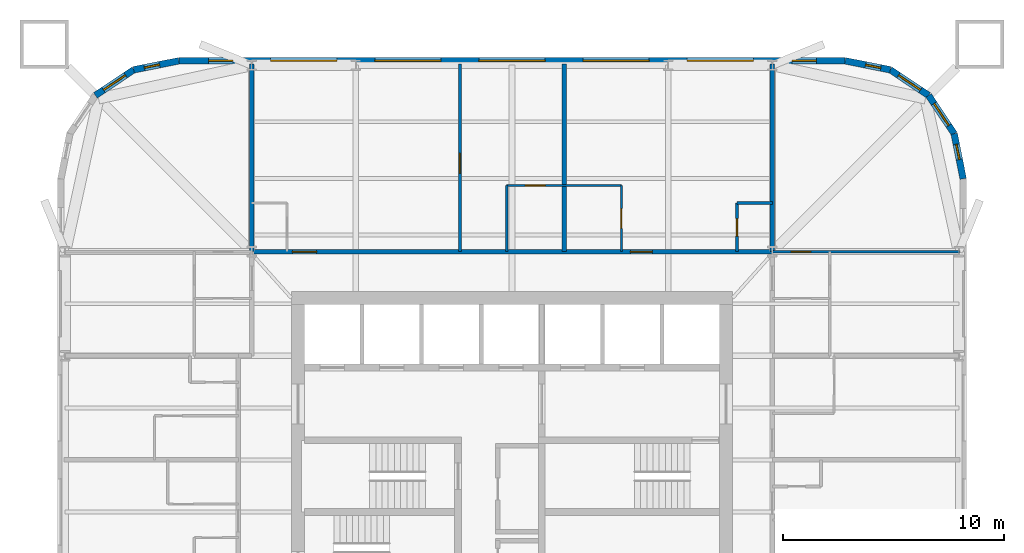
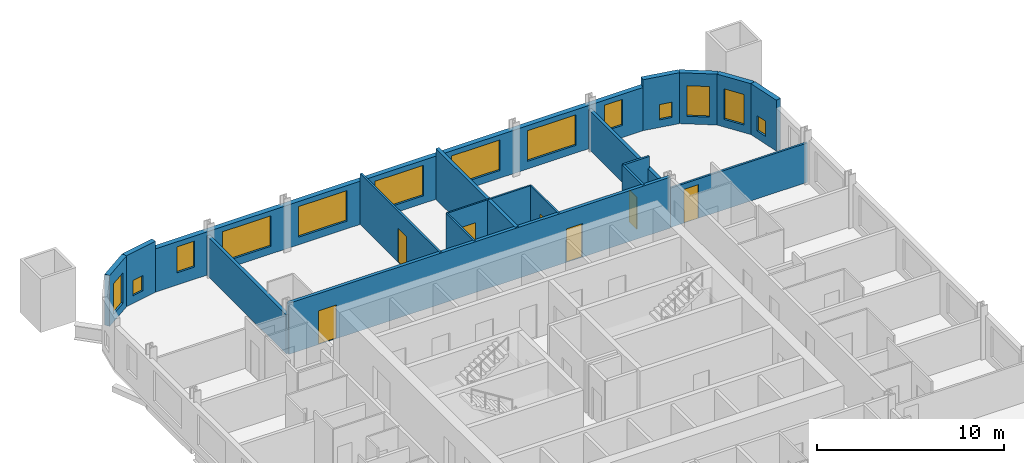
# One storey, part 7 of 9: 18 walls, 13 windows, 7 doors, 20 openings.
"""IFC4 building model written with IfcOpenShell, lengths in metres."""

from ifc_helpers import new_model, si_unit, direction, frame, frame_2d, origin, place, context, subcontext, project, spatial, rectangle, extrude, material, layer, layer_set, type_object, element, fill, save


model = new_model("IFC4")

# Units and contexts
model_context = context("Model", 3, precision=1e-05, world=origin(), true_north=direction((0.0, 1.0)))
body_context = subcontext(model_context, "Body", "Model", "MODEL_VIEW")
ifc_project = project(units=[si_unit("LENGTHUNIT", "METRE"), si_unit("AREAUNIT", "SQUARE_METRE"), si_unit("VOLUMEUNIT", "CUBIC_METRE"), si_unit("PLANEANGLEUNIT", "RADIAN"), si_unit("MASSUNIT", "GRAM", prefix="KILO")], contexts=[model_context])

# Site, building, storey
site_placement = place(None, origin())
site = spatial("IfcSite", under=ifc_project, at=site_placement, CompositionType="ELEMENT")
building_placement = place(site_placement, origin())
building = spatial("IfcBuilding", under=site, at=building_placement, Name="Turquesa Mirador Hotel Tower", CompositionType="ELEMENT")
storey_placement = place(building_placement, frame((0.0, 0.0, 145.89990234375)))
storey = spatial("IfcBuildingStorey", under=building, at=storey_placement, Name="L39", CompositionType="ELEMENT", Elevation=145.89990234375)

# Wall, opening, door
ifc_material_1 = material(Name="Gypsum board on steel studs", Category="steel")
ifc_layer_1 = layer(ifc_material_1, 0.10009765625)
ifc_layer_set_1 = layer_set([ifc_layer_1], Name="BATHROOM WALL 100")
wall_type_1 = type_object("IfcWallType", Name="BATHROOM WALL 100", PredefinedType="PARTITIONING", material=ifc_layer_set_1)
wall_1_placement = place(storey_placement, frame((54.760009765625, 59.800048828125, 0.0), z_axis=(0.0, 0.0, 1.0), x_axis=(1.0, 0.0, 0.0)))
wall_1 = element("IfcWall", 1, at=wall_1_placement, inside=storey, type_object=wall_type_1, Name="Partition L39 026", PredefinedType="PARTITIONING", context=body_context, shape_type="SweptSolid", body=[
    extrude(rectangle(XDim=5.199951171875, YDim=0.10009765625, at=frame_2d((2.60009765625, 0.0))), origin(), (0.0, 0.0, 1.0), 3.330078125),
])
opening_1_placement = place(wall_1_placement, frame((0.85009765625, 0.0, 0.0)))
opening_1 = element("IfcOpeningElement", 2, at=opening_1_placement, cuts=wall_1, Name="Opening D02", PredefinedType="OPENING", context=body_context, shape_type="SweptSolid", body=[
    extrude(rectangle(XDim=0.89990234375, YDim=2.10009765625, at=frame_2d((0.449951171875, 1.050048828125))), frame((0.0, 0.06005859375, 0.0), z_axis=(0.0, -1.0, 0.0), x_axis=(1.0, 0.0, 0.0)), (0.0, 0.0, 1.0), 0.1201171875),
])
ifc_material_2 = material(Name="Timber veneered door", Category="wood")
door_type_1 = type_object("IfcDoorType", Name="DOOR 900X2100 EN-SUITE", OperationType="SINGLE_SWING_RIGHT", PredefinedType="DOOR", material=ifc_material_2)
door_1_placement = place(opening_1_placement, origin())
door_1 = element("IfcDoor", 3, at=door_1_placement, inside=storey, type_object=door_type_1, Name="Door 3901B", OperationType="SINGLE_SWING_RIGHT", OverallHeight=2.10009765625, OverallWidth=0.89990234375, PredefinedType="DOOR", context=body_context, shape_type="SweptSolid", body=[
    extrude(rectangle(XDim=0.89990234375, YDim=2.10009765625, at=frame_2d((0.449951171875, 1.050048828125))), frame((0.0, 0.02490234375, 0.0), z_axis=(0.0, -1.0, 0.0), x_axis=(1.0, 0.0, 0.0)), (0.0, 0.0, 1.0), 0.050048828125),
])
fill(opening_1, door_1)

# Wall
wall_2_placement = place(storey_placement, frame((54.760009765625, 56.800048828125, 0.0), z_axis=(0.0, 0.0, 1.0), x_axis=(0.0, 1.0, 0.0)))
element("IfcWall", 4, at=wall_2_placement, inside=storey, type_object=wall_type_1, Name="Partition L39 040", PredefinedType="PARTITIONING", context=body_context, shape_type="SweptSolid", body=[
    extrude(rectangle(XDim=3.0, YDim=0.10009765625, at=frame_2d((1.5, 0.0))), origin(), (0.0, 0.0, 1.0), 3.330078125),
])

# Wall, opening, door
wall_3_placement = place(storey_placement, frame((59.9599609375, 56.800048828125, 0.0), z_axis=(0.0, 0.0, 1.0), x_axis=(0.0, 1.0, 0.0)))
wall_3 = element("IfcWall", 5, at=wall_3_placement, inside=storey, type_object=wall_type_1, Name="Partition L39 075", PredefinedType="PARTITIONING", context=body_context, shape_type="SweptSolid", body=[
    extrude(rectangle(XDim=3.0, YDim=0.10009765625, at=frame_2d((1.5, 0.0))), origin(), (0.0, 0.0, 1.0), 3.330078125),
])
opening_2_placement = place(wall_3_placement, frame((1.050048828125, 0.0, 0.0)))
opening_2 = element("IfcOpeningElement", 6, at=opening_2_placement, cuts=wall_3, Name="Opening D02", PredefinedType="OPENING", context=body_context, shape_type="SweptSolid", body=[
    extrude(rectangle(XDim=0.89990234375, YDim=2.10009765625, at=frame_2d((0.449951171875, 1.050048828125))), frame((0.0, 0.06005859375, 0.0), z_axis=(0.0, -1.0, 0.0), x_axis=(1.0, 0.0, 0.0)), (0.0, 0.0, 1.0), 0.1201171875),
])
door_2_placement = place(opening_2_placement, origin())
door_2 = element("IfcDoor", 7, at=door_2_placement, inside=storey, type_object=door_type_1, Name="Door 3902B", OperationType="SINGLE_SWING_RIGHT", OverallHeight=2.10009765625, OverallWidth=0.89990234375, PredefinedType="DOOR", context=body_context, shape_type="SweptSolid", body=[
    extrude(rectangle(XDim=0.89990234375, YDim=2.10009765625, at=frame_2d((0.449951171875, 1.050048828125))), frame((0.0, 0.02490234375, 0.0), z_axis=(0.0, -1.0, 0.0), x_axis=(1.0, 0.0, 0.0)), (0.0, 0.0, 1.0), 0.050048828125),
])
fill(opening_2, door_2)

# Wall, openings, doors
ifc_material_3 = material(Name="Fire-rated gypsum board on steel studs", Category="steel")
ifc_layer_2 = layer(ifc_material_3, 0.199951171875)
ifc_layer_set_2 = layer_set([ifc_layer_2], Name="CORRIDOR WALL 200")
wall_type_2 = type_object("IfcWallType", Name="CORRIDOR WALL 200", PredefinedType="PARTITIONING", material=ifc_layer_set_2)
wall_4_placement = place(storey_placement, frame((43.199951171875, 56.800048828125, 0.0), z_axis=(0.0, 0.0, 1.0), x_axis=(1.0, 0.0, 0.0)))
wall_4 = element("IfcWall", 8, at=wall_4_placement, inside=storey, type_object=wall_type_2, Name="Partition L39 021", PredefinedType="PARTITIONING", context=body_context, shape_type="SweptSolid", body=[
    extrude(rectangle(XDim=23.60009765625, YDim=0.199951171875, at=frame_2d((11.800048828125, 0.0))), origin(), (0.0, 0.0, 1.0), 3.330078125),
])
opening_3_placement = place(wall_4_placement, frame((1.85009765625, 0.0, 0.0)))
opening_3 = element("IfcOpeningElement", 9, at=opening_3_placement, cuts=wall_4, Name="Opening D15", PredefinedType="OPENING", context=body_context, shape_type="SweptSolid", body=[
    extrude(rectangle(XDim=1.10009765625, YDim=2.199951171875, at=frame_2d((0.550048828125, 1.10009765625))), frame((0.0, 0.10986328125, 0.0), z_axis=(0.0, -1.0, 0.0), x_axis=(1.0, 0.0, 0.0)), (0.0, 0.0, 1.0), 0.219970703125),
])
opening_4_placement = place(wall_4_placement, frame((17.159912109375, 0.0, 0.0)))
opening_4 = element("IfcOpeningElement", 10, at=opening_4_placement, cuts=wall_4, Name="Opening D01", PredefinedType="OPENING", context=body_context, shape_type="SweptSolid", body=[
    extrude(rectangle(XDim=1.0, YDim=2.199951171875, at=frame_2d((0.5, 1.10009765625))), frame((0.0, 0.10986328125, 0.0), z_axis=(0.0, -1.0, 0.0), x_axis=(1.0, 0.0, 0.0)), (0.0, 0.0, 1.0), 0.219970703125),
])
ifc_material_4 = material(Name="Timber veneered fire door", Category="wood")
door_type_2 = type_object("IfcDoorType", Name="DOOR 1000X2200 GUEST ENTRY", OperationType="SINGLE_SWING_LEFT", PredefinedType="DOOR", material=ifc_material_4)
door_3_placement = place(opening_4_placement, origin())
door_3 = element("IfcDoor", 11, at=door_3_placement, inside=storey, type_object=door_type_2, Name="Door 3902", OperationType="SINGLE_SWING_LEFT", OverallHeight=2.199951171875, OverallWidth=1.0, PredefinedType="DOOR", context=body_context, shape_type="SweptSolid", body=[
    extrude(rectangle(XDim=1.0, YDim=2.199951171875, at=frame_2d((0.5, 1.10009765625))), frame((0.0, 0.02490234375, 0.0), z_axis=(0.0, -1.0, 0.0), x_axis=(1.0, 0.0, 0.0)), (0.0, 0.0, 1.0), 0.050048828125),
])
fill(opening_4, door_3)
ifc_material_5 = material(Name="Timber veneered fire door", Category="wood")
door_type_3 = type_object("IfcDoorType", Name="DOOR 1100X2200 SUITE ENTRY", OperationType="SINGLE_SWING_LEFT", PredefinedType="DOOR", material=ifc_material_5)
door_4_placement = place(opening_3_placement, origin())
door_4 = element("IfcDoor", 12, at=door_4_placement, inside=storey, type_object=door_type_3, Name="Door 3901", OperationType="SINGLE_SWING_LEFT", OverallHeight=2.199951171875, OverallWidth=1.10009765625, PredefinedType="DOOR", context=body_context, shape_type="SweptSolid", body=[
    extrude(rectangle(XDim=1.10009765625, YDim=2.199951171875, at=frame_2d((0.550048828125, 1.10009765625))), frame((0.0, 0.02490234375, 0.0), z_axis=(0.0, -1.0, 0.0), x_axis=(1.0, 0.0, 0.0)), (0.0, 0.0, 1.0), 0.050048828125),
])
fill(opening_3, door_4)

# Wall, opening, window
ifc_material_6 = material(Name="Limestone cladding on concrete block", Category="masonry")
ifc_layer_3 = layer(ifc_material_6, 0.300048828125)
ifc_layer_set_3 = layer_set([ifc_layer_3], Name="FACADE WALL 300 STONE SCREEN")
wall_type_3 = type_object("IfcWallType", Name="FACADE WALL 300 STONE SCREEN", PredefinedType="SOLIDWALL", material=ifc_layer_set_3)
wall_5_placement = place(storey_placement, frame((75.449951171875, 60.10009765625, 0.0), z_axis=(0.0, 0.0, 1.0), x_axis=(-0.195081421501, 0.980787050784, 0.0)))
wall_5 = element("IfcWall", 13, at=wall_5_placement, inside=storey, type_object=wall_type_3, Name="Facade wall L39 05", PredefinedType="SOLIDWALL", context=body_context, shape_type="SweptSolid", body=[
    extrude(rectangle(XDim=2.08740234375, YDim=0.300048828125, at=frame_2d((1.043701171875, 0.0))), origin(), (0.0, 0.0, 1.0), 3.330078125),
])
opening_5_placement = place(wall_5_placement, frame((0.893798828125, 0.0, 0.5)))
opening_5 = element("IfcOpeningElement", 14, at=opening_5_placement, cuts=wall_5, Name="Opening WN15", PredefinedType="OPENING", context=body_context, shape_type="SweptSolid", body=[
    extrude(rectangle(XDim=0.699951171875, YDim=1.0, at=frame_2d((0.35009765625, 0.5))), frame((0.0, 0.159912109375, 0.0), z_axis=(0.0, -1.0, 0.0), x_axis=(1.0, 0.0, 0.0)), (0.0, 0.0, 1.0), 0.320068359375),
])
ifc_material_7 = material(Name="Ceramic-fritted laminated glass", Category="glass")
window_type_1 = type_object("IfcWindowType", Name="FRITTED CORNER WINDOW 700X1000", PartitioningType="DOUBLE_PANEL_HORIZONTAL", PredefinedType="WINDOW", material=ifc_material_7)
window_1_placement = place(opening_5_placement, origin())
window_1 = element("IfcWindow", 15, at=window_1_placement, inside=storey, type_object=window_type_1, Name="Window L39", OverallHeight=1.0, OverallWidth=0.699951171875, PartitioningType="SINGLE_PANEL", PredefinedType="WINDOW", context=body_context, shape_type="SweptSolid", body=[
    extrude(rectangle(XDim=0.699951171875, YDim=1.0, at=frame_2d((0.35009765625, 0.5))), frame((0.0, 0.030029296875, 0.0), z_axis=(0.0, -1.0, 0.0), x_axis=(1.0, 0.0, 0.0)), (0.0, 0.0, 1.0), 0.06005859375),
])
fill(opening_5, window_1)

wall_6_placement = place(storey_placement, frame((75.042724609375, 62.1474609375, 0.0), z_axis=(0.0, 0.0, 1.0), x_axis=(-0.555563607591, 0.831474039234, 0.0)))
wall_6 = element("IfcWall", 16, at=wall_6_placement, inside=storey, type_object=wall_type_3, Name="Facade wall L39 06", PredefinedType="SOLIDWALL", context=body_context, shape_type="SweptSolid", body=[
    extrude(rectangle(XDim=2.08740234375, YDim=0.300048828125, at=frame_2d((1.043701171875, 0.0))), origin(), (0.0, 0.0, 1.0), 3.330078125),
])
opening_6_placement = place(wall_6_placement, frame((0.443603515625, 0.0, 0.5)))
opening_6 = element("IfcOpeningElement", 17, at=opening_6_placement, cuts=wall_6, Name="Opening WN4", PredefinedType="OPENING", context=body_context, shape_type="SweptSolid", body=[
    extrude(rectangle(XDim=1.199951171875, YDim=2.0, at=frame_2d((0.60009765625, 1.0))), frame((0.0, 0.159912109375, 0.0), z_axis=(0.0, -1.0, 0.0), x_axis=(1.0, 0.0, 0.0)), (0.0, 0.0, 1.0), 0.320068359375),
])
ifc_material_8 = material(Name="Ceramic-fritted laminated glass", Category="glass")
window_type_2 = type_object("IfcWindowType", Name="FRITTED CORNER WINDOW 1200X2000", PartitioningType="DOUBLE_PANEL_HORIZONTAL", PredefinedType="WINDOW", material=ifc_material_8)
window_2_placement = place(opening_6_placement, origin())
window_2 = element("IfcWindow", 18, at=window_2_placement, inside=storey, type_object=window_type_2, Name="Window L39", OverallHeight=2.0, OverallWidth=1.199951171875, PartitioningType="SINGLE_PANEL", PredefinedType="WINDOW", context=body_context, shape_type="SweptSolid", body=[
    extrude(rectangle(XDim=1.199951171875, YDim=2.0, at=frame_2d((0.60009765625, 1.0))), frame((0.0, 0.030029296875, 0.0), z_axis=(0.0, -1.0, 0.0), x_axis=(1.0, 0.0, 0.0)), (0.0, 0.0, 1.0), 0.06005859375),
])
fill(opening_6, window_2)

wall_7_placement = place(storey_placement, frame((73.883056640625, 63.883056640625, 0.0), z_axis=(0.0, 0.0, 1.0), x_axis=(-0.831474039234, 0.555563607591, 0.0)))
wall_7 = element("IfcWall", 19, at=wall_7_placement, inside=storey, type_object=wall_type_3, Name="Facade wall L39 07", PredefinedType="SOLIDWALL", context=body_context, shape_type="SweptSolid", body=[
    extrude(rectangle(XDim=2.08740234375, YDim=0.300048828125, at=frame_2d((1.043701171875, 0.0))), origin(), (0.0, 0.0, 1.0), 3.330078125),
])
opening_7_placement = place(wall_7_placement, frame((0.443603515625, 0.0, 0.5)))
opening_7 = element("IfcOpeningElement", 20, at=opening_7_placement, cuts=wall_7, Name="Opening WN4", PredefinedType="OPENING", context=body_context, shape_type="SweptSolid", body=[
    extrude(rectangle(XDim=1.199951171875, YDim=2.0, at=frame_2d((0.60009765625, 1.0))), frame((0.0, 0.159912109375, 0.0), z_axis=(0.0, -1.0, 0.0), x_axis=(1.0, 0.0, 0.0)), (0.0, 0.0, 1.0), 0.320068359375),
])
window_3_placement = place(opening_7_placement, origin())
window_3 = element("IfcWindow", 21, at=window_3_placement, inside=storey, type_object=window_type_2, Name="Window L39", OverallHeight=2.0, OverallWidth=1.199951171875, PartitioningType="SINGLE_PANEL", PredefinedType="WINDOW", context=body_context, shape_type="SweptSolid", body=[
    extrude(rectangle(XDim=1.199951171875, YDim=2.0, at=frame_2d((0.60009765625, 1.0))), frame((0.0, 0.030029296875, 0.0), z_axis=(0.0, -1.0, 0.0), x_axis=(1.0, 0.0, 0.0)), (0.0, 0.0, 1.0), 0.06005859375),
])
fill(opening_7, window_3)

wall_8_placement = place(storey_placement, frame((72.1474609375, 65.042724609375, 0.0), z_axis=(0.0, 0.0, 1.0), x_axis=(-0.980787050784, 0.195081421501, 0.0)))
wall_8 = element("IfcWall", 22, at=wall_8_placement, inside=storey, type_object=wall_type_3, Name="Facade wall L39 08", PredefinedType="SOLIDWALL", context=body_context, shape_type="SweptSolid", body=[
    extrude(rectangle(XDim=2.08740234375, YDim=0.300048828125, at=frame_2d((1.043701171875, 0.0))), origin(), (0.0, 0.0, 1.0), 3.330078125),
])
opening_8_placement = place(wall_8_placement, frame((0.443603515625, 0.0, 0.5)))
opening_8 = element("IfcOpeningElement", 23, at=opening_8_placement, cuts=wall_8, Name="Opening WN15", PredefinedType="OPENING", context=body_context, shape_type="SweptSolid", body=[
    extrude(rectangle(XDim=0.699951171875, YDim=1.0, at=frame_2d((0.35009765625, 0.5))), frame((0.0, 0.159912109375, 0.0), z_axis=(0.0, -1.0, 0.0), x_axis=(1.0, 0.0, 0.0)), (0.0, 0.0, 1.0), 0.320068359375),
])
window_4_placement = place(opening_8_placement, origin())
window_4 = element("IfcWindow", 24, at=window_4_placement, inside=storey, type_object=window_type_1, Name="Window L39", OverallHeight=1.0, OverallWidth=0.699951171875, PartitioningType="SINGLE_PANEL", PredefinedType="WINDOW", context=body_context, shape_type="SweptSolid", body=[
    extrude(rectangle(XDim=0.699951171875, YDim=1.0, at=frame_2d((0.35009765625, 0.5))), frame((0.0, 0.030029296875, 0.0), z_axis=(0.0, -1.0, 0.0), x_axis=(1.0, 0.0, 0.0)), (0.0, 0.0, 1.0), 0.06005859375),
])
fill(opening_8, window_4)

# Wall, openings, windows
wall_9_placement = place(storey_placement, frame((70.10009765625, 65.449951171875, 0.0), z_axis=(0.0, 0.0, 1.0), x_axis=(-1.0, 0.0, 0.0)))
wall_9 = element("IfcWall", 25, at=wall_9_placement, inside=storey, type_object=wall_type_3, Name="Facade wall L39 09", PredefinedType="SOLIDWALL", context=body_context, shape_type="SweptSolid", body=[
    extrude(rectangle(XDim=30.2001953125, YDim=0.300048828125, at=frame_2d((15.10009765625, 0.0))), origin(), (0.0, 0.0, 1.0), 2.830078125),
])
opening_9_placement = place(wall_9_placement, frame((1.300048828125, 0.0, 0.800048828125)))
opening_9 = element("IfcOpeningElement", 26, at=opening_9_placement, cuts=wall_9, Name="Opening WN26", PredefinedType="OPENING", context=body_context, shape_type="SweptSolid", body=[
    extrude(rectangle(XDim=1.10009765625, YDim=1.699951171875, at=frame_2d((0.550048828125, 0.85009765625))), frame((0.0, 0.159912109375, 0.0), z_axis=(0.0, -1.0, 0.0), x_axis=(1.0, 0.0, 0.0)), (0.0, 0.0, 1.0), 0.320068359375),
])
opening_10_placement = place(wall_9_placement, frame((4.159912109375, 0.0, 0.5)))
opening_10 = element("IfcOpeningElement", 27, at=opening_10_placement, cuts=wall_9, Name="Opening WN1", PredefinedType="OPENING", context=body_context, shape_type="SweptSolid", body=[
    extrude(rectangle(XDim=3.0, YDim=2.0, at=frame_2d((1.5, 1.0))), frame((0.0, 0.159912109375, 0.0), z_axis=(0.0, -1.0, 0.0), x_axis=(1.0, 0.0, 0.0)), (0.0, 0.0, 1.0), 0.320068359375),
])
opening_11_placement = place(wall_9_placement, frame((8.8798828125, 0.0, 0.5)))
opening_11 = element("IfcOpeningElement", 28, at=opening_11_placement, cuts=wall_9, Name="Opening WN1", PredefinedType="OPENING", context=body_context, shape_type="SweptSolid", body=[
    extrude(rectangle(XDim=3.0, YDim=2.0, at=frame_2d((1.5, 1.0))), frame((0.0, 0.159912109375, 0.0), z_axis=(0.0, -1.0, 0.0), x_axis=(1.0, 0.0, 0.0)), (0.0, 0.0, 1.0), 0.320068359375),
])
opening_12_placement = place(wall_9_placement, frame((13.60009765625, 0.0, 0.5)))
opening_12 = element("IfcOpeningElement", 29, at=opening_12_placement, cuts=wall_9, Name="Opening WN1", PredefinedType="OPENING", context=body_context, shape_type="SweptSolid", body=[
    extrude(rectangle(XDim=3.0, YDim=2.0, at=frame_2d((1.5, 1.0))), frame((0.0, 0.159912109375, 0.0), z_axis=(0.0, -1.0, 0.0), x_axis=(1.0, 0.0, 0.0)), (0.0, 0.0, 1.0), 0.320068359375),
])
opening_13_placement = place(wall_9_placement, frame((18.320068359375, 0.0, 0.5)))
opening_13 = element("IfcOpeningElement", 30, at=opening_13_placement, cuts=wall_9, Name="Opening WN1", PredefinedType="OPENING", context=body_context, shape_type="SweptSolid", body=[
    extrude(rectangle(XDim=3.0, YDim=2.0, at=frame_2d((1.5, 1.0))), frame((0.0, 0.159912109375, 0.0), z_axis=(0.0, -1.0, 0.0), x_axis=(1.0, 0.0, 0.0)), (0.0, 0.0, 1.0), 0.320068359375),
])
opening_14_placement = place(wall_9_placement, frame((23.0400390625, 0.0, 0.5)))
opening_14 = element("IfcOpeningElement", 31, at=opening_14_placement, cuts=wall_9, Name="Opening WN1", PredefinedType="OPENING", context=body_context, shape_type="SweptSolid", body=[
    extrude(rectangle(XDim=3.0, YDim=2.0, at=frame_2d((1.5, 1.0))), frame((0.0, 0.159912109375, 0.0), z_axis=(0.0, -1.0, 0.0), x_axis=(1.0, 0.0, 0.0)), (0.0, 0.0, 1.0), 0.320068359375),
])
opening_15_placement = place(wall_9_placement, frame((27.75, 0.0, 0.800048828125)))
opening_15 = element("IfcOpeningElement", 32, at=opening_15_placement, cuts=wall_9, Name="Opening WN26", PredefinedType="OPENING", context=body_context, shape_type="SweptSolid", body=[
    extrude(rectangle(XDim=1.10009765625, YDim=1.699951171875, at=frame_2d((0.550048828125, 0.85009765625))), frame((0.0, 0.159912109375, 0.0), z_axis=(0.0, -1.0, 0.0), x_axis=(1.0, 0.0, 0.0)), (0.0, 0.0, 1.0), 0.320068359375),
])
ifc_material_9 = material(Name="Ceramic-fritted laminated glass", Category="glass")
window_type_3 = type_object("IfcWindowType", Name="FRITTED WINDOW 1100X1700", PartitioningType="DOUBLE_PANEL_HORIZONTAL", PredefinedType="WINDOW", material=ifc_material_9)
window_5_placement = place(opening_9_placement, origin())
window_5 = element("IfcWindow", 33, at=window_5_placement, inside=storey, type_object=window_type_3, Name="Window L39", OverallHeight=1.699951171875, OverallWidth=1.10009765625, PartitioningType="SINGLE_PANEL", PredefinedType="WINDOW", context=body_context, shape_type="SweptSolid", body=[
    extrude(rectangle(XDim=1.10009765625, YDim=1.699951171875, at=frame_2d((0.550048828125, 0.85009765625))), frame((0.0, 0.030029296875, 0.0), z_axis=(0.0, -1.0, 0.0), x_axis=(1.0, 0.0, 0.0)), (0.0, 0.0, 1.0), 0.06005859375),
])
fill(opening_9, window_5)
window_6_placement = place(opening_15_placement, origin())
window_6 = element("IfcWindow", 34, at=window_6_placement, inside=storey, type_object=window_type_3, Name="Window L39", OverallHeight=1.699951171875, OverallWidth=1.10009765625, PartitioningType="SINGLE_PANEL", PredefinedType="WINDOW", context=body_context, shape_type="SweptSolid", body=[
    extrude(rectangle(XDim=1.10009765625, YDim=1.699951171875, at=frame_2d((0.550048828125, 0.85009765625))), frame((0.0, 0.030029296875, 0.0), z_axis=(0.0, -1.0, 0.0), x_axis=(1.0, 0.0, 0.0)), (0.0, 0.0, 1.0), 0.06005859375),
])
fill(opening_15, window_6)
ifc_material_10 = material(Name="Ceramic-fritted laminated glass", Category="glass")
window_type_4 = type_object("IfcWindowType", Name="FRITTED WINDOW 3000X2000", PartitioningType="DOUBLE_PANEL_HORIZONTAL", PredefinedType="WINDOW", material=ifc_material_10)
window_7_placement = place(opening_10_placement, origin())
window_7 = element("IfcWindow", 35, at=window_7_placement, inside=storey, type_object=window_type_4, Name="Window L39", OverallHeight=2.0, OverallWidth=3.0, PartitioningType="SINGLE_PANEL", PredefinedType="WINDOW", context=body_context, shape_type="SweptSolid", body=[
    extrude(rectangle(XDim=3.0, YDim=2.0, at=frame_2d((1.5, 1.0))), frame((0.0, 0.030029296875, 0.0), z_axis=(0.0, -1.0, 0.0), x_axis=(1.0, 0.0, 0.0)), (0.0, 0.0, 1.0), 0.06005859375),
])
fill(opening_10, window_7)
window_8_placement = place(opening_11_placement, origin())
window_8 = element("IfcWindow", 36, at=window_8_placement, inside=storey, type_object=window_type_4, Name="Window L39", OverallHeight=2.0, OverallWidth=3.0, PartitioningType="SINGLE_PANEL", PredefinedType="WINDOW", context=body_context, shape_type="SweptSolid", body=[
    extrude(rectangle(XDim=3.0, YDim=2.0, at=frame_2d((1.5, 1.0))), frame((0.0, 0.030029296875, 0.0), z_axis=(0.0, -1.0, 0.0), x_axis=(1.0, 0.0, 0.0)), (0.0, 0.0, 1.0), 0.06005859375),
])
fill(opening_11, window_8)
window_9_placement = place(opening_12_placement, origin())
window_9 = element("IfcWindow", 37, at=window_9_placement, inside=storey, type_object=window_type_4, Name="Window L39", OverallHeight=2.0, OverallWidth=3.0, PartitioningType="SINGLE_PANEL", PredefinedType="WINDOW", context=body_context, shape_type="SweptSolid", body=[
    extrude(rectangle(XDim=3.0, YDim=2.0, at=frame_2d((1.5, 1.0))), frame((0.0, 0.030029296875, 0.0), z_axis=(0.0, -1.0, 0.0), x_axis=(1.0, 0.0, 0.0)), (0.0, 0.0, 1.0), 0.06005859375),
])
fill(opening_12, window_9)
window_10_placement = place(opening_13_placement, origin())
window_10 = element("IfcWindow", 38, at=window_10_placement, inside=storey, type_object=window_type_4, Name="Window L39", OverallHeight=2.0, OverallWidth=3.0, PartitioningType="SINGLE_PANEL", PredefinedType="WINDOW", context=body_context, shape_type="SweptSolid", body=[
    extrude(rectangle(XDim=3.0, YDim=2.0, at=frame_2d((1.5, 1.0))), frame((0.0, 0.030029296875, 0.0), z_axis=(0.0, -1.0, 0.0), x_axis=(1.0, 0.0, 0.0)), (0.0, 0.0, 1.0), 0.06005859375),
])
fill(opening_13, window_10)
window_11_placement = place(opening_14_placement, origin())
window_11 = element("IfcWindow", 39, at=window_11_placement, inside=storey, type_object=window_type_4, Name="Window L39", OverallHeight=2.0, OverallWidth=3.0, PartitioningType="SINGLE_PANEL", PredefinedType="WINDOW", context=body_context, shape_type="SweptSolid", body=[
    extrude(rectangle(XDim=3.0, YDim=2.0, at=frame_2d((1.5, 1.0))), frame((0.0, 0.030029296875, 0.0), z_axis=(0.0, -1.0, 0.0), x_axis=(1.0, 0.0, 0.0)), (0.0, 0.0, 1.0), 0.06005859375),
])
fill(opening_14, window_11)

# Wall, opening, window
wall_10_placement = place(storey_placement, frame((39.89990234375, 65.449951171875, 0.0), z_axis=(0.0, 0.0, 1.0), x_axis=(-0.980787050784, -0.195081421501, 0.0)))
wall_10 = element("IfcWall", 40, at=wall_10_placement, inside=storey, type_object=wall_type_3, Name="Facade wall L39 10", PredefinedType="SOLIDWALL", context=body_context, shape_type="SweptSolid", body=[
    extrude(rectangle(XDim=2.08740234375, YDim=0.300048828125, at=frame_2d((1.043701171875, 0.0))), origin(), (0.0, 0.0, 1.0), 3.330078125),
])
opening_16_placement = place(wall_10_placement, frame((0.893798828125, 0.0, 0.5)))
opening_16 = element("IfcOpeningElement", 41, at=opening_16_placement, cuts=wall_10, Name="Opening WN15", PredefinedType="OPENING", context=body_context, shape_type="SweptSolid", body=[
    extrude(rectangle(XDim=0.699951171875, YDim=1.0, at=frame_2d((0.35009765625, 0.5))), frame((0.0, 0.159912109375, 0.0), z_axis=(0.0, -1.0, 0.0), x_axis=(1.0, 0.0, 0.0)), (0.0, 0.0, 1.0), 0.320068359375),
])
window_12_placement = place(opening_16_placement, origin())
window_12 = element("IfcWindow", 42, at=window_12_placement, inside=storey, type_object=window_type_1, Name="Window L39", OverallHeight=1.0, OverallWidth=0.699951171875, PartitioningType="SINGLE_PANEL", PredefinedType="WINDOW", context=body_context, shape_type="SweptSolid", body=[
    extrude(rectangle(XDim=0.699951171875, YDim=1.0, at=frame_2d((0.35009765625, 0.5))), frame((0.0, 0.030029296875, 0.0), z_axis=(0.0, -1.0, 0.0), x_axis=(1.0, 0.0, 0.0)), (0.0, 0.0, 1.0), 0.06005859375),
])
fill(opening_16, window_12)

wall_11_placement = place(storey_placement, frame((37.8525390625, 65.042724609375, 0.0), z_axis=(0.0, 0.0, 1.0), x_axis=(-0.831474039234, -0.555563607591, 0.0)))
wall_11 = element("IfcWall", 43, at=wall_11_placement, inside=storey, type_object=wall_type_3, Name="Facade wall L39 11", PredefinedType="SOLIDWALL", context=body_context, shape_type="SweptSolid", body=[
    extrude(rectangle(XDim=2.08740234375, YDim=0.300048828125, at=frame_2d((1.043701171875, 0.0))), origin(), (0.0, 0.0, 1.0), 3.330078125),
])
opening_17_placement = place(wall_11_placement, frame((0.443603515625, 0.0, 0.5)))
opening_17 = element("IfcOpeningElement", 44, at=opening_17_placement, cuts=wall_11, Name="Opening WN4", PredefinedType="OPENING", context=body_context, shape_type="SweptSolid", body=[
    extrude(rectangle(XDim=1.199951171875, YDim=2.0, at=frame_2d((0.60009765625, 1.0))), frame((0.0, 0.159912109375, 0.0), z_axis=(0.0, -1.0, 0.0), x_axis=(1.0, 0.0, 0.0)), (0.0, 0.0, 1.0), 0.320068359375),
])
window_13_placement = place(opening_17_placement, origin())
window_13 = element("IfcWindow", 45, at=window_13_placement, inside=storey, type_object=window_type_2, Name="Window L39", OverallHeight=2.0, OverallWidth=1.199951171875, PartitioningType="SINGLE_PANEL", PredefinedType="WINDOW", context=body_context, shape_type="SweptSolid", body=[
    extrude(rectangle(XDim=1.199951171875, YDim=2.0, at=frame_2d((0.60009765625, 1.0))), frame((0.0, 0.030029296875, 0.0), z_axis=(0.0, -1.0, 0.0), x_axis=(1.0, 0.0, 0.0)), (0.0, 0.0, 1.0), 0.06005859375),
])
fill(opening_17, window_13)

# Walls
ifc_material_11 = material(Name="Fire-rated gypsum board on steel studs", Category="steel")
ifc_layer_4 = layer(ifc_material_11, 0.199951171875)
ifc_layer_set_4 = layer_set([ifc_layer_4], Name="PARTY WALL 200")
wall_type_4 = type_object("IfcWallType", Name="PARTY WALL 200", PredefinedType="PARTITIONING", material=ifc_layer_set_4)
for number, where, z_axis, x_axis, name in (
    (46, (43.199951171875, 56.800048828125, 0.0), (0.0, 0.0, 1.0), (0.0, 1.0, 0.0), "Partition L39 046"),
    (47, (66.800048828125, 56.800048828125, 0.0), (0.0, 0.0, 1.0), (0.0, 1.0, 0.0), "Partition L39 063"),
):
    element("IfcWall", number, at=place(storey_placement, frame(where, z_axis=z_axis, x_axis=x_axis)), inside=storey, type_object=wall_type_4, Name=name, PredefinedType="PARTITIONING", context=body_context, shape_type="SweptSolid", body=[
        extrude(rectangle(XDim=8.5, YDim=0.199951171875, at=frame_2d((4.25, 0.0))), origin(), (0.0, 0.0, 1.0), 2.5732421875),
    ])
wall_12_placement = place(storey_placement, frame((57.360107421875, 56.800048828125, 0.0), z_axis=(0.0, 0.0, 1.0), x_axis=(0.0, 1.0, 0.0)))
element("IfcWall", 48, at=wall_12_placement, inside=storey, type_object=wall_type_4, Name="Partition L39 073", PredefinedType="PARTITIONING", context=body_context, shape_type="SweptSolid", body=[
    extrude(rectangle(XDim=8.5, YDim=0.199951171875, at=frame_2d((4.25, 0.0))), origin(), (0.0, 0.0, 1.0), 3.330078125),
])

# Wall, opening, door
ifc_material_12 = material(Name="Acoustic gypsum board on steel studs", Category="steel")
ifc_layer_5 = layer(ifc_material_12, 0.125)
ifc_layer_set_5 = layer_set([ifc_layer_5], Name="SUITE PARTITION 125")
wall_type_5 = type_object("IfcWallType", Name="SUITE PARTITION 125", PredefinedType="PARTITIONING", material=ifc_layer_set_5)
wall_13_placement = place(storey_placement, frame((66.800048828125, 56.800048828125, 0.0), z_axis=(0.0, 0.0, 1.0), x_axis=(1.0, 0.0, 0.0)))
wall_13 = element("IfcWall", 49, at=wall_13_placement, inside=storey, type_object=wall_type_5, Name="Partition L39 023", PredefinedType="PARTITIONING", context=body_context, shape_type="SweptSolid", body=[
    extrude(rectangle(XDim=8.5, YDim=0.125, at=frame_2d((4.25, 0.0))), origin(), (0.0, 0.0, 1.0), 2.5732421875),
])
opening_18_placement = place(wall_13_placement, frame((0.85009765625, 0.0, 0.0)))
opening_18 = element("IfcOpeningElement", 50, at=opening_18_placement, cuts=wall_13, Name="Opening D17", PredefinedType="OPENING", context=body_context, shape_type="SweptSolid", body=[
    extrude(rectangle(XDim=0.89990234375, YDim=2.199951171875, at=frame_2d((0.449951171875, 1.10009765625))), frame((0.0, 0.072509765625, 0.0), z_axis=(0.0, -1.0, 0.0), x_axis=(1.0, 0.0, 0.0)), (0.0, 0.0, 1.0), 0.14501953125),
])
ifc_material_13 = material(Name="Timber veneered door", Category="wood")
door_type_4 = type_object("IfcDoorType", Name="DOOR 900X2200 SUITE INTERNAL", OperationType="SINGLE_SWING_LEFT", PredefinedType="DOOR", material=ifc_material_13)
door_5_placement = place(opening_18_placement, origin())
door_5 = element("IfcDoor", 51, at=door_5_placement, inside=storey, type_object=door_type_4, Name="Door 3911", OperationType="SINGLE_SWING_LEFT", OverallHeight=2.199951171875, OverallWidth=0.89990234375, PredefinedType="DOOR", context=body_context, shape_type="SweptSolid", body=[
    extrude(rectangle(XDim=0.89990234375, YDim=2.199951171875, at=frame_2d((0.449951171875, 1.10009765625))), frame((0.0, 0.02490234375, 0.0), z_axis=(0.0, -1.0, 0.0), x_axis=(1.0, 0.0, 0.0)), (0.0, 0.0, 1.0), 0.050048828125),
])
fill(opening_18, door_5)

# Wall
wall_14_placement = place(storey_placement, frame((65.199951171875, 59.0, 0.0), z_axis=(0.0, 0.0, 1.0), x_axis=(1.0, 0.0, 0.0)))
element("IfcWall", 52, at=wall_14_placement, inside=storey, type_object=wall_type_5, Name="Partition L39 025", PredefinedType="PARTITIONING", context=body_context, shape_type="SweptSolid", body=[
    extrude(rectangle(XDim=1.60009765625, YDim=0.125, at=frame_2d((0.800048828125, 0.0))), origin(), (0.0, 0.0, 1.0), 3.330078125),
])

# Wall, opening, door
wall_15_placement = place(storey_placement, frame((52.639892578125, 56.800048828125, 0.0), z_axis=(0.0, 0.0, 1.0), x_axis=(0.0, 1.0, 0.0)))
wall_15 = element("IfcWall", 53, at=wall_15_placement, inside=storey, type_object=wall_type_5, Name="Partition L39 058", PredefinedType="PARTITIONING", context=body_context, shape_type="SweptSolid", body=[
    extrude(rectangle(XDim=8.5, YDim=0.125, at=frame_2d((4.25, 0.0))), origin(), (0.0, 0.0, 1.0), 3.330078125),
])
opening_19_placement = place(wall_15_placement, frame((3.550048828125, 0.0, 0.0)))
opening_19 = element("IfcOpeningElement", 54, at=opening_19_placement, cuts=wall_15, Name="Opening D17", PredefinedType="OPENING", context=body_context, shape_type="SweptSolid", body=[
    extrude(rectangle(XDim=0.89990234375, YDim=2.199951171875, at=frame_2d((0.449951171875, 1.10009765625))), frame((0.0, 0.072509765625, 0.0), z_axis=(0.0, -1.0, 0.0), x_axis=(1.0, 0.0, 0.0)), (0.0, 0.0, 1.0), 0.14501953125),
])
door_6_placement = place(opening_19_placement, origin())
door_6 = element("IfcDoor", 55, at=door_6_placement, inside=storey, type_object=door_type_4, Name="Door 3901R", OperationType="SINGLE_SWING_LEFT", OverallHeight=2.199951171875, OverallWidth=0.89990234375, PredefinedType="DOOR", context=body_context, shape_type="SweptSolid", body=[
    extrude(rectangle(XDim=0.89990234375, YDim=2.199951171875, at=frame_2d((0.449951171875, 1.10009765625))), frame((0.0, 0.02490234375, 0.0), z_axis=(0.0, -1.0, 0.0), x_axis=(1.0, 0.0, 0.0)), (0.0, 0.0, 1.0), 0.050048828125),
])
fill(opening_19, door_6)

wall_16_placement = place(storey_placement, frame((65.199951171875, 56.800048828125, 0.0), z_axis=(0.0, 0.0, 1.0), x_axis=(0.0, 1.0, 0.0)))
wall_16 = element("IfcWall", 56, at=wall_16_placement, inside=storey, type_object=wall_type_5, Name="Partition L39 060", PredefinedType="PARTITIONING", context=body_context, shape_type="SweptSolid", body=[
    extrude(rectangle(XDim=2.199951171875, YDim=0.125, at=frame_2d((1.10009765625, 0.0))), origin(), (0.0, 0.0, 1.0), 3.330078125),
])
opening_20_placement = place(wall_16_placement, frame((0.699951171875, 0.0, 0.0)))
opening_20 = element("IfcOpeningElement", 57, at=opening_20_placement, cuts=wall_16, Name="Opening D20", PredefinedType="OPENING", context=body_context, shape_type="SweptSolid", body=[
    extrude(rectangle(XDim=0.800048828125, YDim=2.10009765625, at=frame_2d((0.39990234375, 1.050048828125))), frame((0.0, 0.072509765625, 0.0), z_axis=(0.0, -1.0, 0.0), x_axis=(1.0, 0.0, 0.0)), (0.0, 0.0, 1.0), 0.14501953125),
])
ifc_material_14 = material(Name="Timber veneered sliding door", Category="wood")
door_type_5 = type_object("IfcDoorType", Name="DOOR 800X2100 WARDROBE", OperationType="SLIDING_TO_LEFT", PredefinedType="DOOR", material=ifc_material_14)
door_7_placement = place(opening_20_placement, origin())
door_7 = element("IfcDoor", 58, at=door_7_placement, inside=storey, type_object=door_type_5, Name="Door 3902W", OperationType="SLIDING_TO_LEFT", OverallHeight=2.10009765625, OverallWidth=0.800048828125, PredefinedType="DOOR", context=body_context, shape_type="SweptSolid", body=[
    extrude(rectangle(XDim=0.800048828125, YDim=2.10009765625, at=frame_2d((0.39990234375, 1.050048828125))), frame((0.0, 0.02490234375, 0.0), z_axis=(0.0, -1.0, 0.0), x_axis=(1.0, 0.0, 0.0)), (0.0, 0.0, 1.0), 0.050048828125),
])
fill(opening_20, door_7)

save(model, "model.ifc")
